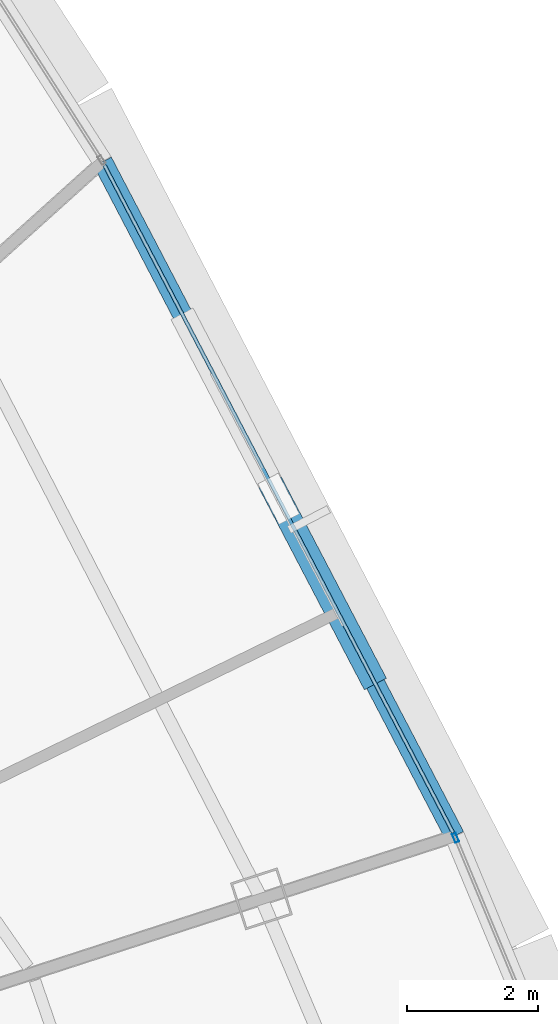
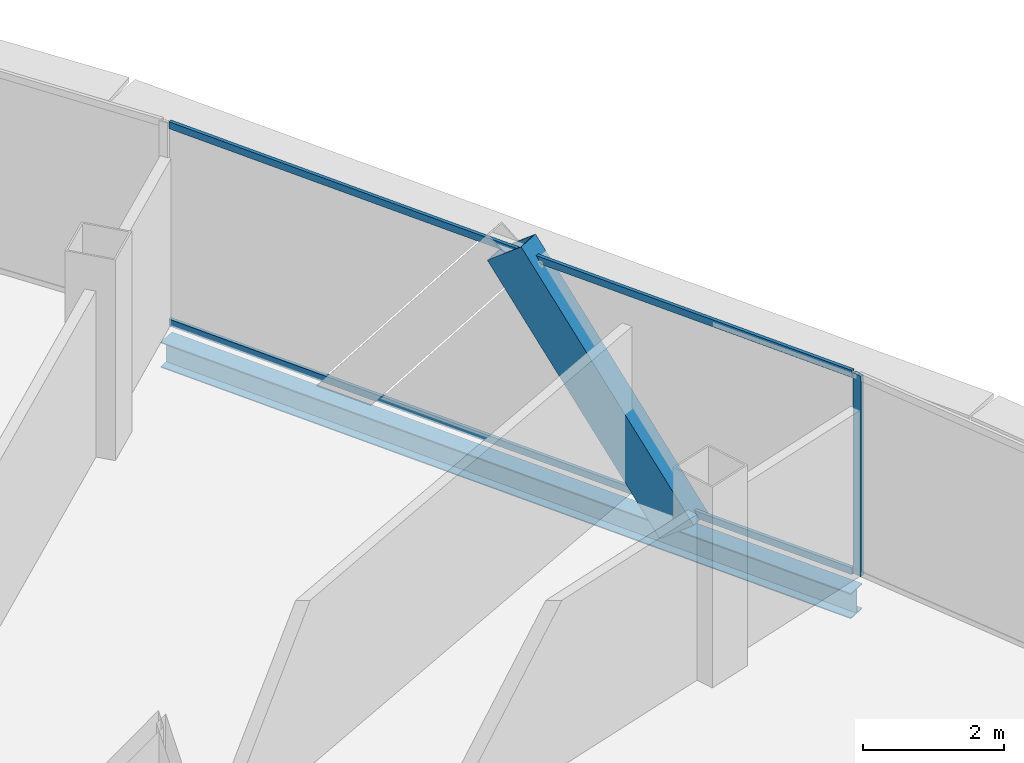
# One storey, part 16 of 37: 4 members, 1 beam, 2 elements without a shape of their own.
"""IFC4 building model written with IfcOpenShell, lengths in metres."""

from ifc_helpers import new_model, si_unit, direction, frame, origin, origin_2d, place, context, subcontext, project, spatial, hollow_rectangle, i_section, extrude, source, transform, mapped, material, layer, layer_set, material_profile, profile_set, type_object, element, aggregate, save


model = new_model("IFC4")

# Units and contexts
model_context = context("Model", 3, precision=1e-05, world=origin(), true_north=direction((0.0, 1.0)))
body_context = subcontext(model_context, "Body", "Model", "MODEL_VIEW")
ifc_project = project(units=[si_unit("LENGTHUNIT", "METRE"), si_unit("AREAUNIT", "SQUARE_METRE"), si_unit("VOLUMEUNIT", "CUBIC_METRE"), si_unit("PLANEANGLEUNIT", "RADIAN"), si_unit("MASSUNIT", "GRAM", prefix="KILO"), si_unit("THERMODYNAMICTEMPERATUREUNIT", "KELVIN"), si_unit("POWERUNIT", "WATT")], contexts=[model_context])

# Site, building, storey
site_placement = place(None, origin())
site = spatial("IfcSite", under=ifc_project, at=site_placement, CompositionType="ELEMENT")
building_placement = place(site_placement, origin())
building = spatial("IfcBuilding", under=site, at=building_placement, Name="Yunzhuo Pagoda Commons", CompositionType="ELEMENT")
storey_placement = place(building_placement, frame((0.0, 0.0, 277.56005859375)))
storey = spatial("IfcBuildingStorey", under=building, at=storey_placement, Name="L69", CompositionType="ELEMENT", Elevation=277.56005859375)

# Beam
ifc_material_1 = material(Name="Structural steel Q355B", Category="steel")
ifc_material_profile_1 = material_profile(ifc_material_1, i_section(OverallWidth=0.300048828125, OverallDepth=0.43994140625, WebThickness=0.010986328125, FlangeThickness=0.01806640625, at=origin_2d()), Name="Structural steel Q355B")
ifc_profile_set_1 = profile_set([ifc_material_profile_1], Name="Structural steel Q355B")
beam_type = type_object("IfcBeamType", Name="B-SP2 Beam HM 440x300x11x18", PredefinedType="BEAM", material=ifc_profile_set_1)
shared_shape_1 = source(origin(), body_context, "Body", "SweptSolid", [
    extrude(i_section(OverallWidth=0.300048828125, OverallDepth=0.43994140625, WebThickness=0.010986328125, FlangeThickness=0.01806640625, at=origin_2d()), origin(), (0.0, 0.0, 1.0), 11.5908203125),
])
beam_placement = place(storey_placement, frame((74.248291015625, 42.228515625, -0.47998046875), z_axis=(-0.462882706125, 0.886419539705, 0.0), x_axis=(-0.886419539705, -0.462882706125, 0.0)))
element("IfcBeam", 1, at=beam_placement, inside=storey, type_object=beam_type, Name="L69 facade edge spandrel beam F2.2", PredefinedType="BEAM", context=body_context, shape_type="MappedRepresentation", body=[
    mapped(shared_shape_1, transform((0.0, 0.0, 0.0), scale=1.0)),
])

# Member
ifc_material_profile_2 = material_profile(ifc_material_1, hollow_rectangle(XDim=0.3798828125, YDim=0.719970703125, WallThickness=0.02001953125, at=origin_2d()), Name="Structural steel Q355B")
ifc_profile_set_2 = profile_set([ifc_material_profile_2], Name="Structural steel Q355B")
member_type_1 = type_object("IfcMemberType", Name="M-DL3 Brace BOX 720x380x20", PredefinedType="BRACE", material=ifc_profile_set_2)
shared_shape_2 = source(origin(), body_context, "Body", "SweptSolid", [
    extrude(hollow_rectangle(XDim=0.3798828125, YDim=0.719970703125, WallThickness=0.02001953125, at=origin_2d()), origin(), (0.0, 0.0, 1.0), 4.723388671875),
])
member_1_placement = place(storey_placement, frame((72.906982421875, 44.797119140625, -0.260009765625), z_axis=(-0.284024371624, 0.543807172676, 0.789685959904), x_axis=(-0.886384969123, -0.462948902702, 0.0)))
element("IfcMember", 2, at=member_1_placement, inside=storey, type_object=member_type_1, Name="L69 facade diamond brace F2.2L", PredefinedType="BRACE", context=body_context, shape_type="MappedRepresentation", body=[
    mapped(shared_shape_2, transform((0.0, 0.0, 0.0), scale=1.0)),
])

# Curtain wall, member
ifc_material_2 = material(Name="Anodized aluminium 6063-T6", Category="aluminium")
ifc_layer = layer(ifc_material_2, 0.139892578125)
ifc_layer_set = layer_set([ifc_layer], Name="Anodized aluminium 6063-T6")
curtain_wall_type = type_object("IfcCurtainWallType", Name="CW-HI High-Zone Ribbon Curtain Wall", PredefinedType="NOTDEFINED", material=ifc_layer_set)
curtain_wall_1_placement = place(storey_placement, origin())
curtain_wall_1 = element("IfcCurtainWall", 3, at=curtain_wall_1_placement, inside=storey, type_object=curtain_wall_type, Name="L69 curtain wall CW-L69-F2B2", PredefinedType="NOTDEFINED")
ifc_material_profile_3 = material_profile(ifc_material_2, hollow_rectangle(XDim=0.06005859375, YDim=0.139892578125, WallThickness=0.00341796875, at=origin_2d()), Name="Anodized aluminium 6063-T6")
ifc_profile_set_3 = profile_set([ifc_material_profile_3], Name="Anodized aluminium 6063-T6")
member_type_2 = type_object("IfcMemberType", Name="CW-HI-M Mullion RHS 140x60x3.5", PredefinedType="MULLION", material=ifc_profile_set_3)
shared_shape_3 = source(origin(), body_context, "Body", "SweptSolid", [
    extrude(hollow_rectangle(XDim=0.06005859375, YDim=0.139892578125, WallThickness=0.00341796875, at=origin_2d()), origin(), (0.0, 0.0, 1.0), 3.469970703125),
])
member_2_placement = place(storey_placement, frame((74.259765625, 42.200927734375, 0.0), z_axis=(0.0, 0.0, 1.0), x_axis=(-0.923393531316, -0.383854642182, 0.0)))
member_2 = element("IfcMember", 4, at=member_2_placement, type_object=member_type_2, Name="CW mullion 2", PredefinedType="MULLION", context=body_context, shape_type="MappedRepresentation", body=[
    mapped(shared_shape_3, transform((0.0, 0.0, 0.0), scale=1.0)),
])
aggregate(curtain_wall_1, [member_2])

# Curtain wall, members
curtain_wall_2_placement = place(storey_placement, origin())
curtain_wall_2 = element("IfcCurtainWall", 5, at=curtain_wall_2_placement, inside=storey, type_object=curtain_wall_type, Name="L69 curtain wall CW-L69-F2B3", PredefinedType="NOTDEFINED")
ifc_material_profile_4 = material_profile(ifc_material_2, hollow_rectangle(XDim=0.054931640625, YDim=0.1201171875, WallThickness=0.00341796875, at=origin_2d()), Name="Anodized aluminium 6063-T6")
ifc_profile_set_4 = profile_set([ifc_material_profile_4], Name="Anodized aluminium 6063-T6")
member_type_3 = type_object("IfcMemberType", Name="CW-HI-T Transom RHS 120x55x3.5", PredefinedType="USERDEFINED", material=ifc_profile_set_4)
shared_shape_4 = source(origin(), body_context, "Body", "SweptSolid", [
    extrude(hollow_rectangle(XDim=0.054931640625, YDim=0.1201171875, WallThickness=0.00341796875, at=origin_2d()), origin(), (0.0, 0.0, 1.0), 11.470947265625),
])
member_3_placement = place(storey_placement, frame((74.220458984375, 42.28173828125, 0.02734375), z_axis=(-0.462910741435, 0.886404899278, 0.0), x_axis=(-0.886404899278, -0.462910741435, 0.0)))
member_3 = element("IfcMember", 6, at=member_3_placement, type_object=member_type_3, Name="CW transom 1.1", ObjectType="TRANSOM", PredefinedType="USERDEFINED", context=body_context, shape_type="MappedRepresentation", body=[
    mapped(shared_shape_4, transform((0.0, 0.0, 0.0), scale=1.0)),
])
member_4_placement = place(storey_placement, frame((74.220458984375, 42.28173828125, 3.4423828125), z_axis=(-0.462910741435, 0.886404899278, 0.0), x_axis=(-0.886404899278, -0.462910741435, 0.0)))
member_4 = element("IfcMember", 7, at=member_4_placement, type_object=member_type_3, Name="CW transom 1.2", ObjectType="TRANSOM", PredefinedType="USERDEFINED", context=body_context, shape_type="MappedRepresentation", body=[
    mapped(shared_shape_4, transform((0.0, 0.0, 0.0), scale=1.0)),
])
aggregate(curtain_wall_2, [member_3, member_4])

save(model, "model.ifc")
